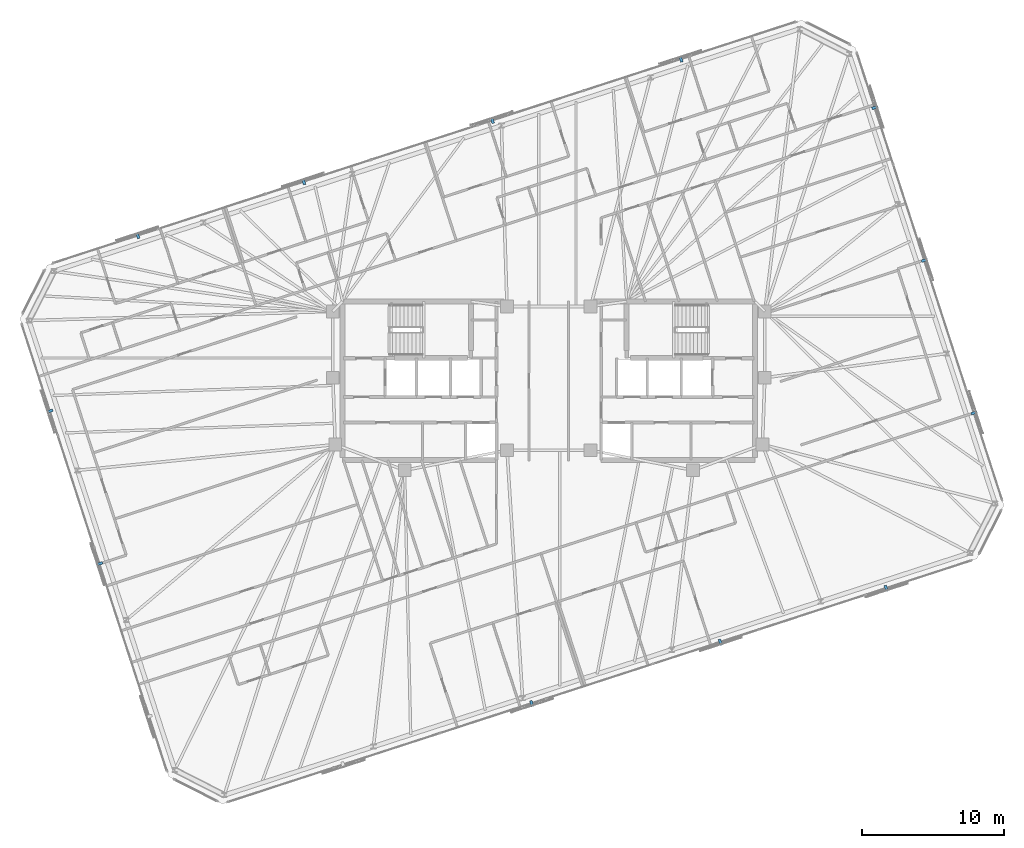
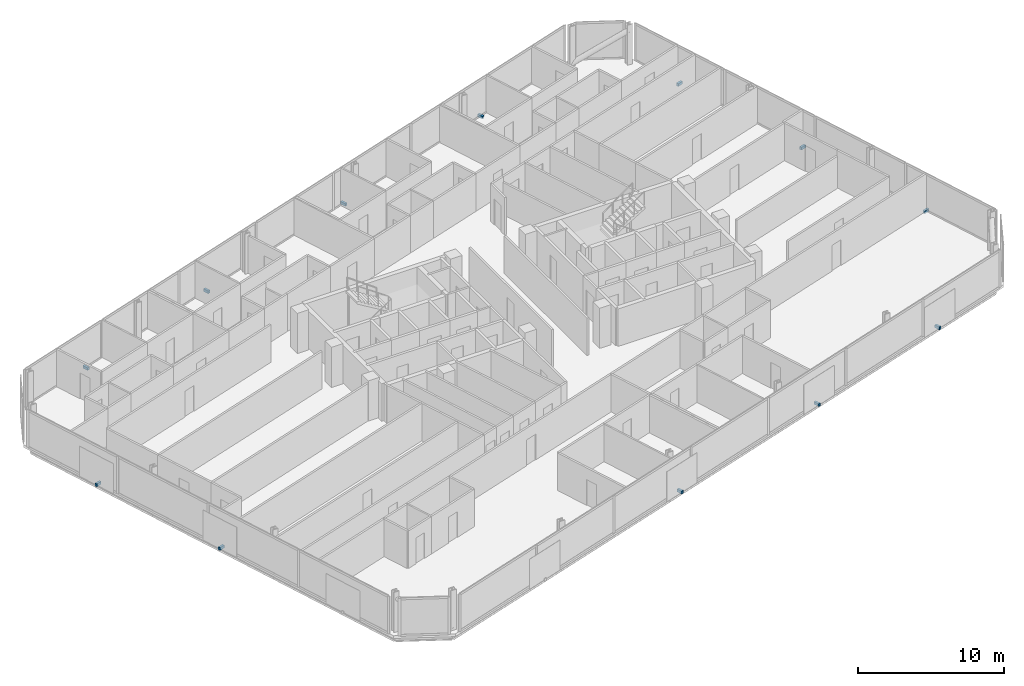
# One storey, part 19 of 20: 12 discrete accessories.
"""IFC4 building model written with IfcOpenShell, lengths in metres."""

from ifc_helpers import new_model, si_unit, direction, frame, origin, origin_2d, place, context, subcontext, project, spatial, rectangle, extrude, material, type_object, element, save


model = new_model("IFC4")

# Units and contexts
model_context = context("Model", 3, precision=1e-05, world=origin(), true_north=direction((0.0, 1.0)))
body_context = subcontext(model_context, "Body", "Model", "MODEL_VIEW")
ifc_project = project(units=[si_unit("LENGTHUNIT", "METRE"), si_unit("AREAUNIT", "SQUARE_METRE"), si_unit("VOLUMEUNIT", "CUBIC_METRE"), si_unit("PLANEANGLEUNIT", "RADIAN"), si_unit("MASSUNIT", "GRAM", prefix="KILO")], contexts=[model_context])

# Site, building, storey
site_placement = place(None, origin())
site = spatial("IfcSite", under=ifc_project, at=site_placement, CompositionType="ELEMENT")
building_placement = place(site_placement, origin())
building = spatial("IfcBuilding", under=site, at=building_placement, Name="Menara Jurai Vektor", CompositionType="ELEMENT")
storey_placement = place(building_placement, frame((0.0, 0.0, 244.39990234375)))
storey = spatial("IfcBuildingStorey", under=building, at=storey_placement, Name="L65", CompositionType="ELEMENT", Elevation=244.39990234375)

# Discrete accessories
ifc_material = material(Name="Steel S355", Category="steel")
discrete_accessory_type = type_object("IfcDiscreteAccessoryType", Name="ENV-ACC-BRACKET", PredefinedType="BRACKET", material=ifc_material)
for number, where, z_axis, x_axis, name in (
    (1, (-1.2099609375, -22.7880859375, -0.1298828125), (0.0, 0.0, 1.0), (0.951056516295, 0.309016994375, 0.0), "Solar Screen Stand-Off Bracket L65-S02"),
    (2, (12.10498046875, -18.4619140625, -0.1298828125), (0.0, 0.0, 1.0), (0.951056516295, 0.309016994375, 0.0), "Solar Screen Stand-Off Bracket L65-S03"),
    (3, (23.822021484375, -14.65478515625, -0.1298828125), (0.0, 0.0, 1.0), (0.951056516295, 0.309016994375, 0.0), "Solar Screen Stand-Off Bracket L65-S04"),
    (4, (30.026611328125, -2.26416015625, -0.1298828125), (0.0, 0.0, 1.0), (-0.309016994375, 0.951056516295, 0.0), "Solar Screen Stand-Off Bracket L65-S05"),
    (5, (26.5244140625, 8.514404296875, -0.1298828125), (0.0, 0.0, 1.0), (-0.309016994375, 0.951056516295, 0.0), "Solar Screen Stand-Off Bracket L65-S06"),
    (6, (23.0224609375, 19.29296875, -0.1298828125), (0.0, 0.0, 1.0), (-0.309016994375, 0.951056516295, 0.0), "Solar Screen Stand-Off Bracket L65-S07"),
    (7, (9.32470703125, 22.71435546875, -0.1298828125), (0.0, 0.0, 1.0), (-0.951056516295, -0.309016994375, 0.0), "Solar Screen Stand-Off Bracket L65-S08"),
    (8, (-3.989990234375, 18.38818359375, -0.1298828125), (0.0, 0.0, 1.0), (-0.951056516295, -0.309016994375, 0.0), "Solar Screen Stand-Off Bracket L65-S09"),
    (9, (-17.304931640625, 14.06201171875, -0.1298828125), (0.0, 0.0, 1.0), (-0.951056516295, -0.309016994375, 0.0), "Solar Screen Stand-Off Bracket L65-S10"),
    (10, (-29.02197265625, 10.2548828125, -0.1298828125), (0.0, 0.0, 1.0), (-0.951056516295, -0.309016994375, 0.0), "Solar Screen Stand-Off Bracket L65-S11"),
    (11, (-35.226806640625, -2.1357421875, -0.1298828125), (0.0, 0.0, 1.0), (0.309016994375, -0.951056516295, 0.0), "Solar Screen Stand-Off Bracket L65-S12"),
    (12, (-31.724609375, -12.914306640625, -0.1298828125), (0.0, 0.0, 1.0), (0.309016994375, -0.951056516295, 0.0), "Solar Screen Stand-Off Bracket L65-S13"),
):
    element("IfcDiscreteAccessory", number, at=place(storey_placement, frame(where, z_axis=z_axis, x_axis=x_axis)), inside=storey, type_object=discrete_accessory_type, Name=name, PredefinedType="BRACKET", context=body_context, shape_type="SweptSolid", body=[
        extrude(rectangle(XDim=0.179931640625, YDim=0.43994140625, at=origin_2d()), origin(), (0.0, 0.0, 1.0), 0.219970703125),
    ])

save(model, "model.ifc")
